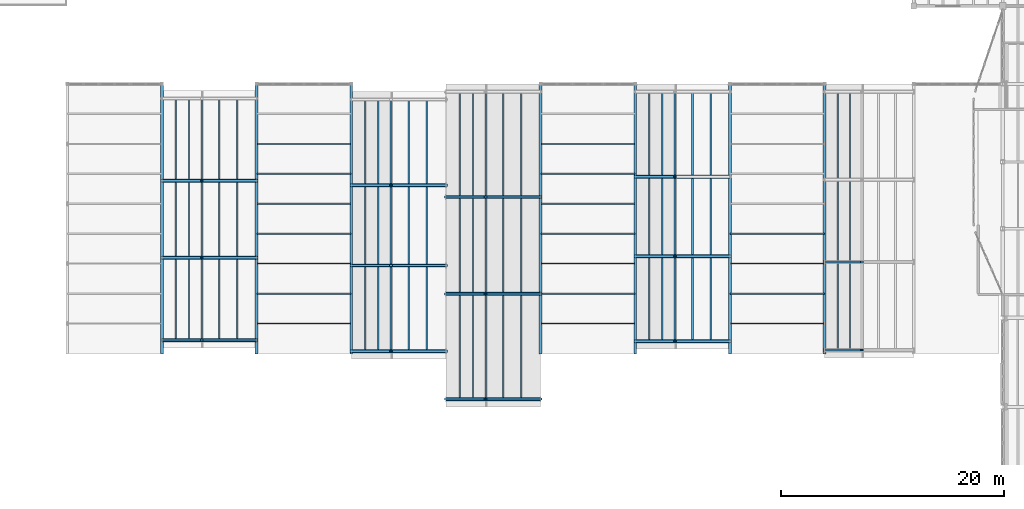
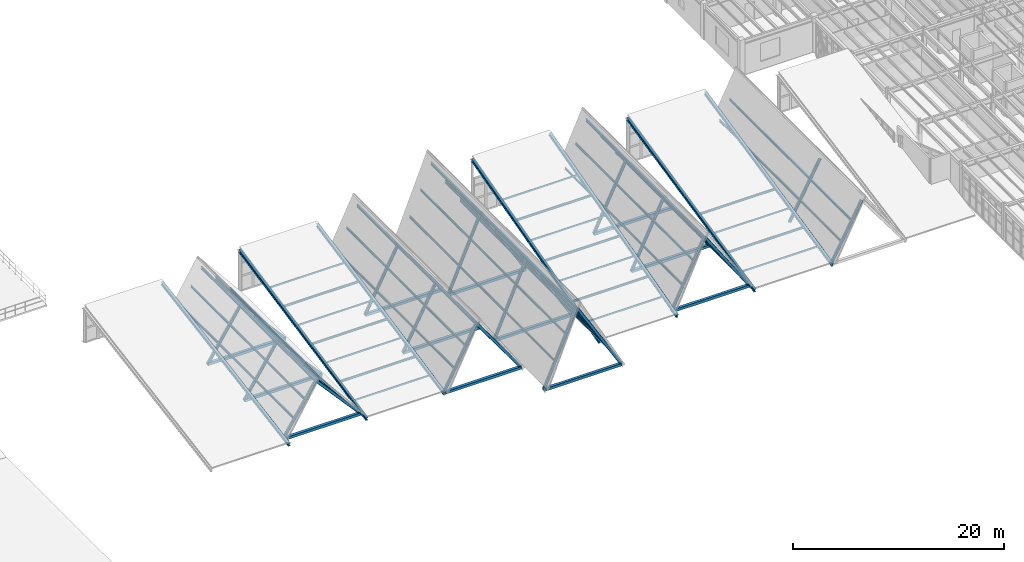
# One storey, part 20 of 77: 84 members.
"""IFC4 building model written with IfcOpenShell, lengths in metres."""

from ifc_helpers import new_model, si_unit, direction, frame, origin, origin_2d, place, context, subcontext, project, spatial, hollow_rectangle, i_section, extrude, material, material_profile, profile_set, type_object, element, save


model = new_model("IFC4")

# Units and contexts
model_context = context("Model", 3, precision=1e-05, world=origin(), true_north=direction((0.0, 1.0)))
body_context = subcontext(model_context, "Body", "Model", "MODEL_VIEW")
ifc_project = project(units=[si_unit("LENGTHUNIT", "METRE"), si_unit("AREAUNIT", "SQUARE_METRE"), si_unit("VOLUMEUNIT", "CUBIC_METRE"), si_unit("PLANEANGLEUNIT", "RADIAN"), si_unit("MASSUNIT", "GRAM", prefix="KILO"), si_unit("THERMODYNAMICTEMPERATUREUNIT", "KELVIN"), si_unit("POWERUNIT", "WATT")], contexts=[model_context])

# Site, building, storey
site_placement = place(None, origin())
site = spatial("IfcSite", under=ifc_project, at=site_placement, CompositionType="ELEMENT")
building_placement = place(site_placement, origin())
building = spatial("IfcBuilding", under=site, at=building_placement, Name="Zhenchuan Central Fire Station", CompositionType="ELEMENT")
storey_placement = place(building_placement, frame((0.0, 0.0, 10.050048828125)))
storey = spatial("IfcBuildingStorey", under=building, at=storey_placement, Name="L03", CompositionType="ELEMENT", Elevation=10.050048828125)

# Members
ifc_material = material(Name="Steel Q355B", Category="steel")
ifc_material_profile_1 = material_profile(ifc_material, i_section(OverallWidth=0.125, OverallDepth=0.25, WebThickness=0.006103515625, FlangeThickness=0.009033203125, FilletRadius=0.011962890625, at=origin_2d()), Name="HN 250x125")
ifc_profile_set_1 = profile_set([ifc_material_profile_1], Name="Steel Q355B")
member_type_1 = type_object("IfcMemberType", Name="MB-PR-HN250", PredefinedType="PURLIN", material=ifc_profile_set_1)
for number, where, z_axis, x_axis, name in (
    (1, (65.74951171875, 12.5, 1.56298828125), (0.0, 1.0, 0.0), (-1.0, 0.0, 0.0), "Pavilion H02 West Roof Purlin 1"),
    (2, (66.927490234375, 12.5, 3.376220703125), (0.0, 1.0, 0.0), (-1.0, 0.0, 0.0), "Pavilion H02 West Roof Purlin 2"),
):
    element("IfcMember", number, at=place(storey_placement, frame(where, z_axis=z_axis, x_axis=x_axis)), inside=storey, type_object=member_type_1, Name=name, PredefinedType="PURLIN", context=body_context, shape_type="SweptSolid", body=[
        extrude(i_section(OverallWidth=0.125, OverallDepth=0.25, WebThickness=0.006103515625, FlangeThickness=0.009033203125, FilletRadius=0.011962890625, at=origin_2d()), origin(), (0.0, 0.0, 1.0), 21.699951171875),
    ])
for number, where, z_axis, x_axis, name in (
    (3, (73.014892578125, 16.677734375, 0.75439453125), (1.0, 0.0, 0.0), (0.0, 1.0, 0.0), "Pavilion H03 Roof Purlin 2"),
    (4, (73.014892578125, 22.0556640625, 1.8388671875), (1.0, 0.0, 0.0), (0.0, 1.0, 0.0), "Pavilion H03 Roof Purlin 4"),
    (5, (73.014892578125, 27.433349609375, 2.92333984375), (1.0, 0.0, 0.0), (0.0, 1.0, 0.0), "Pavilion H03 Roof Purlin 6"),
):
    element("IfcMember", number, at=place(storey_placement, frame(where, z_axis=z_axis, x_axis=x_axis)), inside=storey, type_object=member_type_1, Name=name, PredefinedType="PURLIN", context=body_context, shape_type="SweptSolid", body=[
        extrude(i_section(OverallWidth=0.125, OverallDepth=0.25, WebThickness=0.006103515625, FlangeThickness=0.009033203125, FilletRadius=0.011962890625, at=origin_2d()), origin(), (0.0, 0.0, 1.0), 8.47021484375),
    ])
for number, where, z_axis, x_axis, name in (
    (6, (82.74951171875, 11.5, 2.014404296875), (0.0, 1.0, 0.0), (-1.0, 0.0, 0.0), "Pavilion H04 West Roof Purlin 1"),
    (7, (83.927490234375, 11.5, 4.2529296875), (0.0, 1.0, 0.0), (-1.0, 0.0, 0.0), "Pavilion H04 West Roof Purlin 2"),
):
    element("IfcMember", number, at=place(storey_placement, frame(where, z_axis=z_axis, x_axis=x_axis)), inside=storey, type_object=member_type_1, Name=name, PredefinedType="PURLIN", context=body_context, shape_type="SweptSolid", body=[
        extrude(i_section(OverallWidth=0.125, OverallDepth=0.25, WebThickness=0.006103515625, FlangeThickness=0.009033203125, FilletRadius=0.011962890625, at=origin_2d()), origin(), (0.0, 0.0, 1.0), 22.60009765625),
    ])
for number, where, z_axis, x_axis, name in (
    (8, (91.24951171875, 7.199951171875, 2.529296875), (0.0, 1.0, 0.0), (-1.0, 0.0, 0.0), "Pavilion H05 West Roof Purlin 1"),
    (9, (92.427490234375, 7.199951171875, 5.25341796875), (0.0, 1.0, 0.0), (-1.0, 0.0, 0.0), "Pavilion H05 West Roof Purlin 2"),
):
    element("IfcMember", number, at=place(storey_placement, frame(where, z_axis=z_axis, x_axis=x_axis)), inside=storey, type_object=member_type_1, Name=name, PredefinedType="PURLIN", context=body_context, shape_type="SweptSolid", body=[
        extrude(i_section(OverallWidth=0.125, OverallDepth=0.25, WebThickness=0.006103515625, FlangeThickness=0.009033203125, FilletRadius=0.011962890625, at=origin_2d()), origin(), (0.0, 0.0, 1.0), 27.60009765625),
    ])
for number, where, z_axis, x_axis, name in (
    (10, (98.514892578125, 16.677734375, 1.107666015625), (1.0, 0.0, 0.0), (0.0, 1.0, 0.0), "Pavilion H06 Roof Purlin 2"),
    (11, (98.514892578125, 22.0556640625, 2.545166015625), (1.0, 0.0, 0.0), (0.0, 1.0, 0.0), "Pavilion H06 Roof Purlin 4"),
    (12, (98.514892578125, 27.433349609375, 3.982666015625), (1.0, 0.0, 0.0), (0.0, 1.0, 0.0), "Pavilion H06 Roof Purlin 6"),
):
    element("IfcMember", number, at=place(storey_placement, frame(where, z_axis=z_axis, x_axis=x_axis)), inside=storey, type_object=member_type_1, Name=name, PredefinedType="PURLIN", context=body_context, shape_type="SweptSolid", body=[
        extrude(i_section(OverallWidth=0.125, OverallDepth=0.25, WebThickness=0.006103515625, FlangeThickness=0.009033203125, FilletRadius=0.011962890625, at=origin_2d()), origin(), (0.0, 0.0, 1.0), 8.47021484375),
    ])
for number, where, z_axis, x_axis, name in (
    (13, (108.24951171875, 12.39990234375, 2.20751953125), (0.0, 1.0, 0.0), (-1.0, 0.0, 0.0), "Pavilion H07 West Roof Purlin 1"),
    (14, (109.427490234375, 12.39990234375, 4.628173828125), (0.0, 1.0, 0.0), (-1.0, 0.0, 0.0), "Pavilion H07 West Roof Purlin 2"),
):
    element("IfcMember", number, at=place(storey_placement, frame(where, z_axis=z_axis, x_axis=x_axis)), inside=storey, type_object=member_type_1, Name=name, PredefinedType="PURLIN", context=body_context, shape_type="SweptSolid", body=[
        extrude(i_section(OverallWidth=0.125, OverallDepth=0.25, WebThickness=0.006103515625, FlangeThickness=0.009033203125, FilletRadius=0.011962890625, at=origin_2d()), origin(), (0.0, 0.0, 1.0), 22.400146484375),
    ])
for number, where, z_axis, x_axis, name in (
    (15, (115.514892578125, 16.677734375, 0.842529296875), (1.0, 0.0, 0.0), (0.0, 1.0, 0.0), "Pavilion H08 Roof Purlin 2"),
    (16, (115.514892578125, 22.0556640625, 2.015380859375), (1.0, 0.0, 0.0), (0.0, 1.0, 0.0), "Pavilion H08 Roof Purlin 4"),
):
    element("IfcMember", number, at=place(storey_placement, frame(where, z_axis=z_axis, x_axis=x_axis)), inside=storey, type_object=member_type_1, Name=name, PredefinedType="PURLIN", context=body_context, shape_type="SweptSolid", body=[
        extrude(i_section(OverallWidth=0.125, OverallDepth=0.25, WebThickness=0.006103515625, FlangeThickness=0.009033203125, FilletRadius=0.011962890625, at=origin_2d()), origin(), (0.0, 0.0, 1.0), 8.47021484375),
    ])
for number, where, z_axis, x_axis, name in (
    (17, (125.176025390625, 11.60009765625, 1.80908203125), (0.0, 1.0, 0.0), (-1.0, 0.0, 0.0), "Pavilion H09 West Roof Purlin 1"),
    (18, (126.284912109375, 11.60009765625, 3.8544921875), (0.0, 1.0, 0.0), (-1.0, 0.0, 0.0), "Pavilion H09 West Roof Purlin 2"),
):
    element("IfcMember", number, at=place(storey_placement, frame(where, z_axis=z_axis, x_axis=x_axis)), inside=storey, type_object=member_type_1, Name=name, PredefinedType="PURLIN", context=body_context, shape_type="SweptSolid", body=[
        extrude(i_section(OverallWidth=0.125, OverallDepth=0.25, WebThickness=0.006103515625, FlangeThickness=0.009033203125, FilletRadius=0.011962890625, at=origin_2d()), origin(), (0.0, 0.0, 1.0), 23.199951171875),
    ])
ifc_material_profile_2 = material_profile(ifc_material, i_section(OverallWidth=0.14990234375, OverallDepth=0.300048828125, WebThickness=0.006591796875, FlangeThickness=0.009033203125, FilletRadius=0.012939453125, at=origin_2d()), Name="HN 300x150")
ifc_profile_set_2 = profile_set([ifc_material_profile_2], Name="Steel Q355B")
member_type_2 = type_object("IfcMemberType", Name="MB-PR-HN300", PredefinedType="PURLIN", material=ifc_profile_set_2)
for number, where, z_axis, x_axis, name in (
    (19, (68.070068359375, 12.5, 5.14453125), (0.0, 1.0, 0.0), (-1.0, 0.0, 0.0), "Pavilion H02 Gable Ridge Purlin"),
    (20, (71.2744140625, 12.5, 1.56298828125), (0.0, 1.0, 0.0), (-1.0, 0.0, 0.0), "Pavilion H02 East Roof Purlin 1"),
    (21, (69.647705078125, 12.5, 3.376220703125), (0.0, 1.0, 0.0), (-1.0, 0.0, 0.0), "Pavilion H02 East Roof Purlin 2"),
):
    element("IfcMember", number, at=place(storey_placement, frame(where, z_axis=z_axis, x_axis=x_axis)), inside=storey, type_object=member_type_2, Name=name, PredefinedType="PURLIN", context=body_context, shape_type="SweptSolid", body=[
        extrude(i_section(OverallWidth=0.14990234375, OverallDepth=0.300048828125, WebThickness=0.006591796875, FlangeThickness=0.009033203125, FilletRadius=0.012939453125, at=origin_2d()), origin(), (0.0, 0.0, 1.0), 21.699951171875),
    ])
for number, where, z_axis, x_axis, name in (
    (22, (85.070068359375, 11.5, 6.433837890625), (0.0, 1.0, 0.0), (-1.0, 0.0, 0.0), "Pavilion H04 Gable Ridge Purlin"),
    (23, (88.2744140625, 11.5, 2.014404296875), (0.0, 1.0, 0.0), (-1.0, 0.0, 0.0), "Pavilion H04 East Roof Purlin 1"),
    (24, (86.647705078125, 11.5, 4.2529296875), (0.0, 1.0, 0.0), (-1.0, 0.0, 0.0), "Pavilion H04 East Roof Purlin 2"),
):
    element("IfcMember", number, at=place(storey_placement, frame(where, z_axis=z_axis, x_axis=x_axis)), inside=storey, type_object=member_type_2, Name=name, PredefinedType="PURLIN", context=body_context, shape_type="SweptSolid", body=[
        extrude(i_section(OverallWidth=0.14990234375, OverallDepth=0.300048828125, WebThickness=0.006591796875, FlangeThickness=0.009033203125, FilletRadius=0.012939453125, at=origin_2d()), origin(), (0.0, 0.0, 1.0), 22.60009765625),
    ])
for number, where, z_axis, x_axis, name in (
    (25, (93.570068359375, 7.199951171875, 7.905029296875), (0.0, 1.0, 0.0), (-1.0, 0.0, 0.0), "Pavilion H05 Gable Ridge Purlin"),
    (26, (96.7744140625, 7.199951171875, 2.529296875), (0.0, 1.0, 0.0), (-1.0, 0.0, 0.0), "Pavilion H05 East Roof Purlin 1"),
    (27, (95.147705078125, 7.199951171875, 5.25341796875), (0.0, 1.0, 0.0), (-1.0, 0.0, 0.0), "Pavilion H05 East Roof Purlin 2"),
):
    element("IfcMember", number, at=place(storey_placement, frame(where, z_axis=z_axis, x_axis=x_axis)), inside=storey, type_object=member_type_2, Name=name, PredefinedType="PURLIN", context=body_context, shape_type="SweptSolid", body=[
        extrude(i_section(OverallWidth=0.14990234375, OverallDepth=0.300048828125, WebThickness=0.006591796875, FlangeThickness=0.009033203125, FilletRadius=0.012939453125, at=origin_2d()), origin(), (0.0, 0.0, 1.0), 27.60009765625),
    ])
for number, where, z_axis, x_axis, name in (
    (28, (110.570068359375, 12.39990234375, 6.98583984375), (0.0, 1.0, 0.0), (-1.0, 0.0, 0.0), "Pavilion H07 Gable Ridge Purlin"),
    (29, (113.7744140625, 12.39990234375, 2.20751953125), (0.0, 1.0, 0.0), (-1.0, 0.0, 0.0), "Pavilion H07 East Roof Purlin 1"),
    (30, (112.147705078125, 12.39990234375, 4.628173828125), (0.0, 1.0, 0.0), (-1.0, 0.0, 0.0), "Pavilion H07 East Roof Purlin 2"),
):
    element("IfcMember", number, at=place(storey_placement, frame(where, z_axis=z_axis, x_axis=x_axis)), inside=storey, type_object=member_type_2, Name=name, PredefinedType="PURLIN", context=body_context, shape_type="SweptSolid", body=[
        extrude(i_section(OverallWidth=0.14990234375, OverallDepth=0.300048828125, WebThickness=0.006591796875, FlangeThickness=0.009033203125, FilletRadius=0.012939453125, at=origin_2d()), origin(), (0.0, 0.0, 1.0), 22.400146484375),
    ])
ifc_material_profile_3 = material_profile(ifc_material, hollow_rectangle(XDim=0.10009765625, YDim=0.179931640625, WallThickness=0.008056640625, at=origin_2d()), Name="RHS 180x100x8")
ifc_profile_set_3 = profile_set([ifc_material_profile_3], Name="Steel Q355B")
member_type_3 = type_object("IfcMemberType", Name="MB-PR-RHS180", PredefinedType="PURLIN", material=ifc_profile_set_3)
for number, where, z_axis, x_axis, name in (
    (31, (73.014892578125, 13.989013671875, 0.212158203125), (1.0, 0.0, 0.0), (0.0, 1.0, 0.0), "Pavilion H03 Roof Purlin 1"),
    (32, (73.014892578125, 19.36669921875, 1.296630859375), (1.0, 0.0, 0.0), (0.0, 1.0, 0.0), "Pavilion H03 Roof Purlin 3"),
    (33, (73.014892578125, 24.744384765625, 2.381103515625), (1.0, 0.0, 0.0), (0.0, 1.0, 0.0), "Pavilion H03 Roof Purlin 5"),
    (34, (73.014892578125, 30.122314453125, 3.465576171875), (1.0, 0.0, 0.0), (0.0, 1.0, 0.0), "Pavilion H03 Roof Purlin 7"),
    (35, (98.514892578125, 13.989013671875, 0.388671875), (1.0, 0.0, 0.0), (0.0, 1.0, 0.0), "Pavilion H06 Roof Purlin 1"),
    (36, (98.514892578125, 19.36669921875, 1.826416015625), (1.0, 0.0, 0.0), (0.0, 1.0, 0.0), "Pavilion H06 Roof Purlin 3"),
    (37, (98.514892578125, 24.744384765625, 3.263916015625), (1.0, 0.0, 0.0), (0.0, 1.0, 0.0), "Pavilion H06 Roof Purlin 5"),
    (38, (98.514892578125, 30.122314453125, 4.701416015625), (1.0, 0.0, 0.0), (0.0, 1.0, 0.0), "Pavilion H06 Roof Purlin 7"),
    (39, (115.514892578125, 13.989013671875, 0.25634765625), (1.0, 0.0, 0.0), (0.0, 1.0, 0.0), "Pavilion H08 Roof Purlin 1"),
    (40, (115.514892578125, 19.36669921875, 1.428955078125), (1.0, 0.0, 0.0), (0.0, 1.0, 0.0), "Pavilion H08 Roof Purlin 3"),
):
    element("IfcMember", number, at=place(storey_placement, frame(where, z_axis=z_axis, x_axis=x_axis)), inside=storey, type_object=member_type_3, Name=name, PredefinedType="PURLIN", context=body_context, shape_type="SweptSolid", body=[
        extrude(hollow_rectangle(XDim=0.10009765625, YDim=0.179931640625, WallThickness=0.008056640625, at=origin_2d()), origin(), (0.0, 0.0, 1.0), 8.47021484375),
    ])
ifc_material_profile_4 = material_profile(ifc_material, hollow_rectangle(XDim=0.300048828125, YDim=0.300048828125, WallThickness=0.011962890625, at=origin_2d()), Name="SHS 300x300x12")
ifc_profile_set_4 = profile_set([ifc_material_profile_4], Name="Steel Q355B")
member_type_4 = type_object("IfcMemberType", Name="MB-PS-HW250", PredefinedType="POST", material=ifc_profile_set_4)
for number, where, z_axis, x_axis, name in (
    (41, (64.5, 12.5, -0.330078125), (1.0, 0.0, 0.0), (0.0, 1.0, 0.0), "Pavilion H02 Gable Bottom Chord 1"),
    (42, (64.5, 19.885009765625, -0.330078125), (1.0, 0.0, 0.0), (0.0, 1.0, 0.0), "Pavilion H02 Gable Bottom Chord 2"),
    (43, (64.5, 26.81494140625, -0.330078125), (1.0, 0.0, 0.0), (0.0, 1.0, 0.0), "Pavilion H02 Gable Bottom Chord 3"),
    (44, (81.5, 11.5, -0.330078125), (1.0, 0.0, 0.0), (0.0, 1.0, 0.0), "Pavilion H04 Gable Bottom Chord 1"),
    (45, (81.5, 19.199951171875, -0.330078125), (1.0, 0.0, 0.0), (0.0, 1.0, 0.0), "Pavilion H04 Gable Bottom Chord 2"),
    (46, (81.5, 26.39990234375, -0.330078125), (1.0, 0.0, 0.0), (0.0, 1.0, 0.0), "Pavilion H04 Gable Bottom Chord 3"),
    (47, (90.0, 7.199951171875, -0.330078125), (1.0, 0.0, 0.0), (0.0, 1.0, 0.0), "Pavilion H05 Gable Bottom Chord 1"),
    (48, (90.0, 16.64990234375, -0.330078125), (1.0, 0.0, 0.0), (0.0, 1.0, 0.0), "Pavilion H05 Gable Bottom Chord 2"),
    (49, (90.0, 25.35009765625, -0.330078125), (1.0, 0.0, 0.0), (0.0, 1.0, 0.0), "Pavilion H05 Gable Bottom Chord 3"),
    (50, (107.0, 12.39990234375, -0.330078125), (1.0, 0.0, 0.0), (0.0, 1.0, 0.0), "Pavilion H07 Gable Bottom Chord 1"),
    (51, (107.0, 20.030029296875, -0.330078125), (1.0, 0.0, 0.0), (0.0, 1.0, 0.0), "Pavilion H07 Gable Bottom Chord 2"),
    (52, (107.0, 27.169921875, -0.330078125), (1.0, 0.0, 0.0), (0.0, 1.0, 0.0), "Pavilion H07 Gable Bottom Chord 3"),
):
    element("IfcMember", number, at=place(storey_placement, frame(where, z_axis=z_axis, x_axis=x_axis)), inside=storey, type_object=member_type_4, Name=name, PredefinedType="CHORD", context=body_context, shape_type="SweptSolid", body=[
        extrude(hollow_rectangle(XDim=0.300048828125, YDim=0.300048828125, WallThickness=0.011962890625, at=origin_2d()), origin(), (0.0, 0.0, 1.0), 8.5),
    ])
ifc_material_profile_5 = material_profile(ifc_material, i_section(OverallWidth=0.199951171875, OverallDepth=0.2939453125, WebThickness=0.008056640625, FlangeThickness=0.011962890625, FilletRadius=0.01611328125, at=origin_2d()), Name="HM 294x200")
ifc_profile_set_5 = profile_set([ifc_material_profile_5], Name="Steel Q355B")
member_type_5 = type_object("IfcMemberType", Name="MB-RF-HM294", PredefinedType="RAFTER", material=ifc_profile_set_5)
member_1_placement = place(storey_placement, frame((64.5, 12.5, -0.330078125), z_axis=(0.542763322926, 0.0, 0.839885691798), x_axis=(0.0, 1.0, 0.0)))
element("IfcMember", 53, at=member_1_placement, inside=storey, type_object=member_type_5, Name="Pavilion H02 West Gable Rafter 1", PredefinedType="RAFTER", context=body_context, shape_type="SweptSolid", body=[
    extrude(i_section(OverallWidth=0.199951171875, OverallDepth=0.2939453125, WebThickness=0.008056640625, FlangeThickness=0.011962890625, FilletRadius=0.01611328125, at=origin_2d()), origin(), (0.0, 0.0, 1.0), 6.57763671875),
])
member_2_placement = place(storey_placement, frame((68.070068359375, 12.5, 5.1943359375), z_axis=(0.665821794059, 0.0, -0.746110808497), x_axis=(0.0, 1.0, 0.0)))
element("IfcMember", 54, at=member_2_placement, inside=storey, type_object=member_type_5, Name="Pavilion H02 East Gable Rafter 1", PredefinedType="RAFTER", context=body_context, shape_type="SweptSolid", body=[
    extrude(i_section(OverallWidth=0.199951171875, OverallDepth=0.2939453125, WebThickness=0.008056640625, FlangeThickness=0.011962890625, FilletRadius=0.01611328125, at=origin_2d()), origin(), (0.0, 0.0, 1.0), 7.404296875),
])
member_3_placement = place(storey_placement, frame((64.5, 19.885009765625, -0.330078125), z_axis=(0.542763322926, 0.0, 0.839885691798), x_axis=(0.0, 1.0, 0.0)))
element("IfcMember", 55, at=member_3_placement, inside=storey, type_object=member_type_5, Name="Pavilion H02 West Gable Rafter 2", PredefinedType="RAFTER", context=body_context, shape_type="SweptSolid", body=[
    extrude(i_section(OverallWidth=0.199951171875, OverallDepth=0.2939453125, WebThickness=0.008056640625, FlangeThickness=0.011962890625, FilletRadius=0.01611328125, at=origin_2d()), origin(), (0.0, 0.0, 1.0), 6.57763671875),
])
member_4_placement = place(storey_placement, frame((68.070068359375, 19.885009765625, 5.1943359375), z_axis=(0.665821794059, 0.0, -0.746110808497), x_axis=(0.0, 1.0, 0.0)))
element("IfcMember", 56, at=member_4_placement, inside=storey, type_object=member_type_5, Name="Pavilion H02 East Gable Rafter 2", PredefinedType="RAFTER", context=body_context, shape_type="SweptSolid", body=[
    extrude(i_section(OverallWidth=0.199951171875, OverallDepth=0.2939453125, WebThickness=0.008056640625, FlangeThickness=0.011962890625, FilletRadius=0.01611328125, at=origin_2d()), origin(), (0.0, 0.0, 1.0), 7.404296875),
])
member_5_placement = place(storey_placement, frame((64.5, 26.81494140625, -0.330078125), z_axis=(0.542763322926, 0.0, 0.839885691798), x_axis=(0.0, 1.0, 0.0)))
element("IfcMember", 57, at=member_5_placement, inside=storey, type_object=member_type_5, Name="Pavilion H02 West Gable Rafter 3", PredefinedType="RAFTER", context=body_context, shape_type="SweptSolid", body=[
    extrude(i_section(OverallWidth=0.199951171875, OverallDepth=0.2939453125, WebThickness=0.008056640625, FlangeThickness=0.011962890625, FilletRadius=0.01611328125, at=origin_2d()), origin(), (0.0, 0.0, 1.0), 6.57763671875),
])
member_6_placement = place(storey_placement, frame((68.070068359375, 26.81494140625, 5.1943359375), z_axis=(0.665821794059, 0.0, -0.746110808497), x_axis=(0.0, 1.0, 0.0)))
element("IfcMember", 58, at=member_6_placement, inside=storey, type_object=member_type_5, Name="Pavilion H02 East Gable Rafter 3", PredefinedType="RAFTER", context=body_context, shape_type="SweptSolid", body=[
    extrude(i_section(OverallWidth=0.199951171875, OverallDepth=0.2939453125, WebThickness=0.008056640625, FlangeThickness=0.011962890625, FilletRadius=0.01611328125, at=origin_2d()), origin(), (0.0, 0.0, 1.0), 7.404296875),
])
member_7_placement = place(storey_placement, frame((81.5, 11.5, -0.330078125), z_axis=(0.464093563947, 0.0, 0.885786184078), x_axis=(0.0, 1.0, 0.0)))
element("IfcMember", 59, at=member_7_placement, inside=storey, type_object=member_type_5, Name="Pavilion H04 West Gable Rafter 1", PredefinedType="RAFTER", context=body_context, shape_type="SweptSolid", body=[
    extrude(i_section(OverallWidth=0.199951171875, OverallDepth=0.2939453125, WebThickness=0.008056640625, FlangeThickness=0.011962890625, FilletRadius=0.01611328125, at=origin_2d()), origin(), (0.0, 0.0, 1.0), 7.692626953125),
])
member_8_placement = place(storey_placement, frame((85.070068359375, 11.5, 6.48388671875), z_axis=(0.586172899265, 0.0, -0.810185986158), x_axis=(0.0, 1.0, 0.0)))
element("IfcMember", 60, at=member_8_placement, inside=storey, type_object=member_type_5, Name="Pavilion H04 East Gable Rafter 1", PredefinedType="RAFTER", context=body_context, shape_type="SweptSolid", body=[
    extrude(i_section(OverallWidth=0.199951171875, OverallDepth=0.2939453125, WebThickness=0.008056640625, FlangeThickness=0.011962890625, FilletRadius=0.01611328125, at=origin_2d()), origin(), (0.0, 0.0, 1.0), 8.410400390625),
])
member_9_placement = place(storey_placement, frame((81.5, 19.199951171875, -0.330078125), z_axis=(0.464093563947, 0.0, 0.885786184078), x_axis=(0.0, 1.0, 0.0)))
element("IfcMember", 61, at=member_9_placement, inside=storey, type_object=member_type_5, Name="Pavilion H04 West Gable Rafter 2", PredefinedType="RAFTER", context=body_context, shape_type="SweptSolid", body=[
    extrude(i_section(OverallWidth=0.199951171875, OverallDepth=0.2939453125, WebThickness=0.008056640625, FlangeThickness=0.011962890625, FilletRadius=0.01611328125, at=origin_2d()), origin(), (0.0, 0.0, 1.0), 7.692626953125),
])
member_10_placement = place(storey_placement, frame((85.070068359375, 19.199951171875, 6.48388671875), z_axis=(0.586172899265, 0.0, -0.810185986158), x_axis=(0.0, 1.0, 0.0)))
element("IfcMember", 62, at=member_10_placement, inside=storey, type_object=member_type_5, Name="Pavilion H04 East Gable Rafter 2", PredefinedType="RAFTER", context=body_context, shape_type="SweptSolid", body=[
    extrude(i_section(OverallWidth=0.199951171875, OverallDepth=0.2939453125, WebThickness=0.008056640625, FlangeThickness=0.011962890625, FilletRadius=0.01611328125, at=origin_2d()), origin(), (0.0, 0.0, 1.0), 8.410400390625),
])
member_11_placement = place(storey_placement, frame((81.5, 26.39990234375, -0.330078125), z_axis=(0.464093563947, 0.0, 0.885786184078), x_axis=(0.0, 1.0, 0.0)))
element("IfcMember", 63, at=member_11_placement, inside=storey, type_object=member_type_5, Name="Pavilion H04 West Gable Rafter 3", PredefinedType="RAFTER", context=body_context, shape_type="SweptSolid", body=[
    extrude(i_section(OverallWidth=0.199951171875, OverallDepth=0.2939453125, WebThickness=0.008056640625, FlangeThickness=0.011962890625, FilletRadius=0.01611328125, at=origin_2d()), origin(), (0.0, 0.0, 1.0), 7.692626953125),
])
member_12_placement = place(storey_placement, frame((85.070068359375, 26.39990234375, 6.48388671875), z_axis=(0.586172899265, 0.0, -0.810185986158), x_axis=(0.0, 1.0, 0.0)))
element("IfcMember", 64, at=member_12_placement, inside=storey, type_object=member_type_5, Name="Pavilion H04 East Gable Rafter 3", PredefinedType="RAFTER", context=body_context, shape_type="SweptSolid", body=[
    extrude(i_section(OverallWidth=0.199951171875, OverallDepth=0.2939453125, WebThickness=0.008056640625, FlangeThickness=0.011962890625, FilletRadius=0.01611328125, at=origin_2d()), origin(), (0.0, 0.0, 1.0), 8.410400390625),
])
member_13_placement = place(storey_placement, frame((90.0, 7.199951171875, -0.330078125), z_axis=(0.395734514872, 0.0, 0.918364956724), x_axis=(0.0, 1.0, 0.0)))
element("IfcMember", 65, at=member_13_placement, inside=storey, type_object=member_type_5, Name="Pavilion H05 West Gable Rafter 1", PredefinedType="RAFTER", context=body_context, shape_type="SweptSolid", body=[
    extrude(i_section(OverallWidth=0.199951171875, OverallDepth=0.2939453125, WebThickness=0.008056640625, FlangeThickness=0.011962890625, FilletRadius=0.01611328125, at=origin_2d()), origin(), (0.0, 0.0, 1.0), 9.021484375),
])
member_14_placement = place(storey_placement, frame((93.570068359375, 7.199951171875, 7.954833984375), z_axis=(0.511364093968, 0.0, -0.859364162274), x_axis=(0.0, 1.0, 0.0)))
element("IfcMember", 66, at=member_14_placement, inside=storey, type_object=member_type_5, Name="Pavilion H05 East Gable Rafter 1", PredefinedType="RAFTER", context=body_context, shape_type="SweptSolid", body=[
    extrude(i_section(OverallWidth=0.199951171875, OverallDepth=0.2939453125, WebThickness=0.008056640625, FlangeThickness=0.011962890625, FilletRadius=0.01611328125, at=origin_2d()), origin(), (0.0, 0.0, 1.0), 9.640625),
])
member_15_placement = place(storey_placement, frame((90.0, 16.64990234375, -0.330078125), z_axis=(0.395734514872, 0.0, 0.918364956724), x_axis=(0.0, 1.0, 0.0)))
element("IfcMember", 67, at=member_15_placement, inside=storey, type_object=member_type_5, Name="Pavilion H05 West Gable Rafter 2", PredefinedType="RAFTER", context=body_context, shape_type="SweptSolid", body=[
    extrude(i_section(OverallWidth=0.199951171875, OverallDepth=0.2939453125, WebThickness=0.008056640625, FlangeThickness=0.011962890625, FilletRadius=0.01611328125, at=origin_2d()), origin(), (0.0, 0.0, 1.0), 9.021484375),
])
member_16_placement = place(storey_placement, frame((93.570068359375, 16.64990234375, 7.954833984375), z_axis=(0.511364093968, 0.0, -0.859364162274), x_axis=(0.0, 1.0, 0.0)))
element("IfcMember", 68, at=member_16_placement, inside=storey, type_object=member_type_5, Name="Pavilion H05 East Gable Rafter 2", PredefinedType="RAFTER", context=body_context, shape_type="SweptSolid", body=[
    extrude(i_section(OverallWidth=0.199951171875, OverallDepth=0.2939453125, WebThickness=0.008056640625, FlangeThickness=0.011962890625, FilletRadius=0.01611328125, at=origin_2d()), origin(), (0.0, 0.0, 1.0), 9.640625),
])
member_17_placement = place(storey_placement, frame((90.0, 25.35009765625, -0.330078125), z_axis=(0.395734514872, 0.0, 0.918364956724), x_axis=(0.0, 1.0, 0.0)))
element("IfcMember", 69, at=member_17_placement, inside=storey, type_object=member_type_5, Name="Pavilion H05 West Gable Rafter 3", PredefinedType="RAFTER", context=body_context, shape_type="SweptSolid", body=[
    extrude(i_section(OverallWidth=0.199951171875, OverallDepth=0.2939453125, WebThickness=0.008056640625, FlangeThickness=0.011962890625, FilletRadius=0.01611328125, at=origin_2d()), origin(), (0.0, 0.0, 1.0), 9.021484375),
])
member_18_placement = place(storey_placement, frame((93.570068359375, 25.35009765625, 7.954833984375), z_axis=(0.511364093968, 0.0, -0.859364162274), x_axis=(0.0, 1.0, 0.0)))
element("IfcMember", 70, at=member_18_placement, inside=storey, type_object=member_type_5, Name="Pavilion H05 East Gable Rafter 3", PredefinedType="RAFTER", context=body_context, shape_type="SweptSolid", body=[
    extrude(i_section(OverallWidth=0.199951171875, OverallDepth=0.2939453125, WebThickness=0.008056640625, FlangeThickness=0.011962890625, FilletRadius=0.01611328125, at=origin_2d()), origin(), (0.0, 0.0, 1.0), 9.640625),
])
member_19_placement = place(storey_placement, frame((107.0, 12.39990234375, -0.330078125), z_axis=(0.436155681812, 0.0, 0.8998712248), x_axis=(0.0, 1.0, 0.0)))
element("IfcMember", 71, at=member_19_placement, inside=storey, type_object=member_type_5, Name="Pavilion H07 West Gable Rafter 1", PredefinedType="RAFTER", context=body_context, shape_type="SweptSolid", body=[
    extrude(i_section(OverallWidth=0.199951171875, OverallDepth=0.2939453125, WebThickness=0.008056640625, FlangeThickness=0.011962890625, FilletRadius=0.01611328125, at=origin_2d()), origin(), (0.0, 0.0, 1.0), 8.185302734375),
])
member_20_placement = place(storey_placement, frame((110.570068359375, 12.39990234375, 7.03564453125), z_axis=(0.55621849058, 0.0, -0.831036094726), x_axis=(0.0, 1.0, 0.0)))
element("IfcMember", 72, at=member_20_placement, inside=storey, type_object=member_type_5, Name="Pavilion H07 East Gable Rafter 1", PredefinedType="RAFTER", context=body_context, shape_type="SweptSolid", body=[
    extrude(i_section(OverallWidth=0.199951171875, OverallDepth=0.2939453125, WebThickness=0.008056640625, FlangeThickness=0.011962890625, FilletRadius=0.01611328125, at=origin_2d()), origin(), (0.0, 0.0, 1.0), 8.86328125),
])
member_21_placement = place(storey_placement, frame((107.0, 20.030029296875, -0.330078125), z_axis=(0.436155681812, 0.0, 0.8998712248), x_axis=(0.0, 1.0, 0.0)))
element("IfcMember", 73, at=member_21_placement, inside=storey, type_object=member_type_5, Name="Pavilion H07 West Gable Rafter 2", PredefinedType="RAFTER", context=body_context, shape_type="SweptSolid", body=[
    extrude(i_section(OverallWidth=0.199951171875, OverallDepth=0.2939453125, WebThickness=0.008056640625, FlangeThickness=0.011962890625, FilletRadius=0.01611328125, at=origin_2d()), origin(), (0.0, 0.0, 1.0), 8.185302734375),
])
member_22_placement = place(storey_placement, frame((110.570068359375, 20.030029296875, 7.03564453125), z_axis=(0.55621849058, 0.0, -0.831036094726), x_axis=(0.0, 1.0, 0.0)))
element("IfcMember", 74, at=member_22_placement, inside=storey, type_object=member_type_5, Name="Pavilion H07 East Gable Rafter 2", PredefinedType="RAFTER", context=body_context, shape_type="SweptSolid", body=[
    extrude(i_section(OverallWidth=0.199951171875, OverallDepth=0.2939453125, WebThickness=0.008056640625, FlangeThickness=0.011962890625, FilletRadius=0.01611328125, at=origin_2d()), origin(), (0.0, 0.0, 1.0), 8.86328125),
])
member_23_placement = place(storey_placement, frame((107.0, 27.169921875, -0.330078125), z_axis=(0.436155681812, 0.0, 0.8998712248), x_axis=(0.0, 1.0, 0.0)))
element("IfcMember", 75, at=member_23_placement, inside=storey, type_object=member_type_5, Name="Pavilion H07 West Gable Rafter 3", PredefinedType="RAFTER", context=body_context, shape_type="SweptSolid", body=[
    extrude(i_section(OverallWidth=0.199951171875, OverallDepth=0.2939453125, WebThickness=0.008056640625, FlangeThickness=0.011962890625, FilletRadius=0.01611328125, at=origin_2d()), origin(), (0.0, 0.0, 1.0), 8.185302734375),
])
for number, where, z_axis, x_axis, name in (
    (76, (124.0, 11.60009765625, -0.330078125), (0.474832085086, 0.0, 0.880076412008), (0.0, 1.0, 0.0), "Pavilion H09 West Gable Rafter 1"),
    (77, (124.0, 19.510009765625, -0.330078125), (0.474832085086, 0.0, 0.880076412008), (0.0, 1.0, 0.0), "Pavilion H09 West Gable Rafter 2"),
):
    element("IfcMember", number, at=place(storey_placement, frame(where, z_axis=z_axis, x_axis=x_axis)), inside=storey, type_object=member_type_5, Name=name, PredefinedType="RAFTER", context=body_context, shape_type="SweptSolid", body=[
        extrude(i_section(OverallWidth=0.199951171875, OverallDepth=0.2939453125, WebThickness=0.008056640625, FlangeThickness=0.011962890625, FilletRadius=0.01611328125, at=origin_2d()), origin(), (0.0, 0.0, 1.0), 7.076416015625),
    ])
ifc_material_profile_6 = material_profile(ifc_material, i_section(OverallWidth=0.25, OverallDepth=0.340087890625, WebThickness=0.009033203125, FlangeThickness=0.013916015625, FilletRadius=0.01806640625, at=origin_2d()), Name="HM 340x250")
ifc_profile_set_6 = profile_set([ifc_material_profile_6], Name="Steel Q355B")
member_type_6 = type_object("IfcMemberType", Name="MB-RF-HM340", PredefinedType="RAFTER", material=ifc_profile_set_6)
member_24_placement = place(storey_placement, frame((64.5, 11.300048828125, -0.300048828125), z_axis=(0.0, 0.986048986073, 0.166455390615), x_axis=(-1.0, 0.0, 0.0)))
element("IfcMember", 78, at=member_24_placement, inside=storey, type_object=member_type_6, Name="Pavilion H01 Sawtooth Rafter 2", PredefinedType="RAFTER", context=body_context, shape_type="SweptSolid", body=[
    extrude(i_section(OverallWidth=0.25, OverallDepth=0.340087890625, WebThickness=0.009033203125, FlangeThickness=0.013916015625, FilletRadius=0.01806640625, at=origin_2d()), origin(), (0.0, 0.0, 1.0), 24.542236328125),
])
for number, where, z_axis, x_axis, name in (
    (79, (73.0, 11.300048828125, -0.300048828125), (0.0, 0.980268688756, 0.197669668501), (-1.0, 0.0, 0.0), "Pavilion H03 Sawtooth Rafter 1"),
    (80, (81.5, 11.300048828125, -0.300048828125), (0.0, 0.980268688756, 0.197669668501), (-1.0, 0.0, 0.0), "Pavilion H03 Sawtooth Rafter 2"),
):
    element("IfcMember", number, at=place(storey_placement, frame(where, z_axis=z_axis, x_axis=x_axis)), inside=storey, type_object=member_type_6, Name=name, PredefinedType="RAFTER", context=body_context, shape_type="SweptSolid", body=[
        extrude(i_section(OverallWidth=0.25, OverallDepth=0.340087890625, WebThickness=0.009033203125, FlangeThickness=0.013916015625, FilletRadius=0.01806640625, at=origin_2d()), origin(), (0.0, 0.0, 1.0), 24.68701171875),
    ])
for number, where, z_axis, x_axis, name in (
    (81, (98.5, 11.300048828125, -0.300048828125), (0.0, 0.966078984542, 0.258246772731), (-1.0, 0.0, 0.0), "Pavilion H06 Sawtooth Rafter 1"),
    (82, (107.0, 11.300048828125, -0.300048828125), (0.0, 0.966078984542, 0.258246772731), (-1.0, 0.0, 0.0), "Pavilion H06 Sawtooth Rafter 2"),
):
    element("IfcMember", number, at=place(storey_placement, frame(where, z_axis=z_axis, x_axis=x_axis)), inside=storey, type_object=member_type_6, Name=name, PredefinedType="RAFTER", context=body_context, shape_type="SweptSolid", body=[
        extrude(i_section(OverallWidth=0.25, OverallDepth=0.340087890625, WebThickness=0.009033203125, FlangeThickness=0.013916015625, FilletRadius=0.01806640625, at=origin_2d()), origin(), (0.0, 0.0, 1.0), 25.049560546875),
    ])
for number, where, z_axis, x_axis, name in (
    (83, (115.5, 11.300048828125, -0.300048828125), (0.0, 0.977038001596, 0.213065115488), (-1.0, 0.0, 0.0), "Pavilion H08 Sawtooth Rafter 1"),
    (84, (124.0, 11.300048828125, -0.300048828125), (0.0, 0.977038001596, 0.213065115488), (-1.0, 0.0, 0.0), "Pavilion H08 Sawtooth Rafter 2"),
):
    element("IfcMember", number, at=place(storey_placement, frame(where, z_axis=z_axis, x_axis=x_axis)), inside=storey, type_object=member_type_6, Name=name, PredefinedType="RAFTER", context=body_context, shape_type="SweptSolid", body=[
        extrude(i_section(OverallWidth=0.25, OverallDepth=0.340087890625, WebThickness=0.009033203125, FlangeThickness=0.013916015625, FilletRadius=0.01806640625, at=origin_2d()), origin(), (0.0, 0.0, 1.0), 24.768798828125),
    ])

save(model, "model.ifc")
